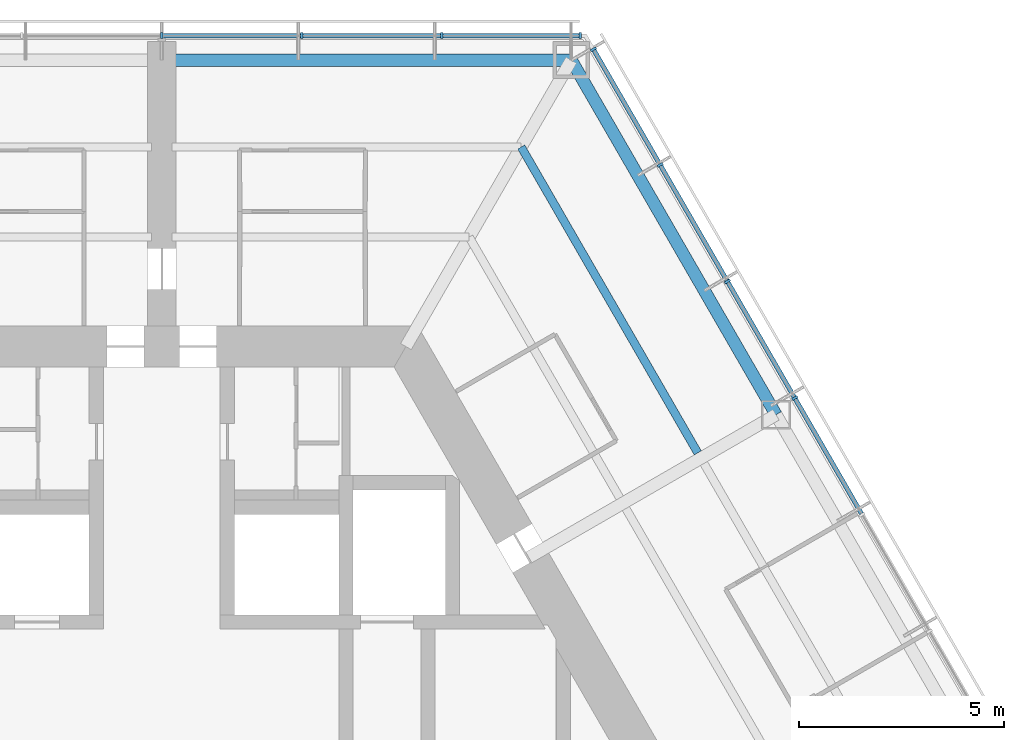
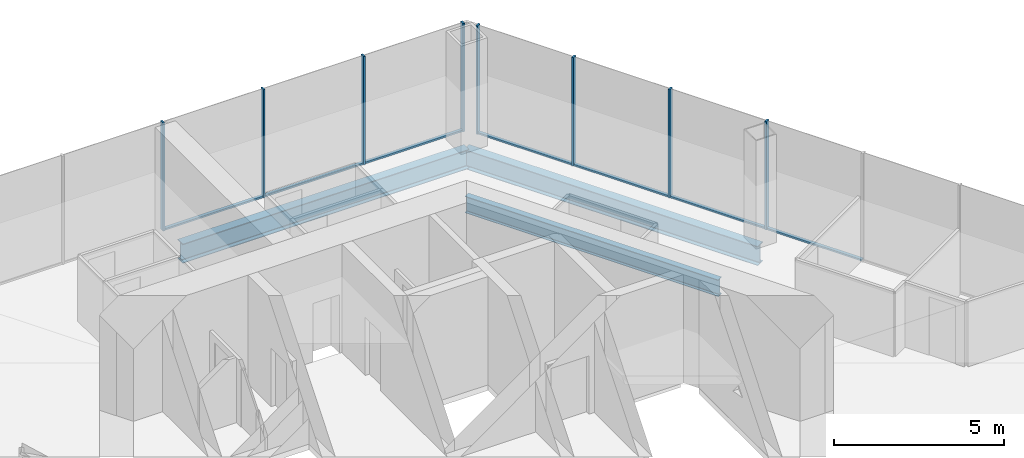
# One storey, part 8 of 18: 15 members, 3 beams, 2 elements without a shape of their own.
"""IFC4 building model written with IfcOpenShell, lengths in metres."""

from ifc_helpers import new_model, si_unit, direction, frame, origin, origin_2d, place, context, subcontext, project, spatial, rectangle, i_section, extrude, material, material_profile, profile_set, type_object, element, aggregate, save


model = new_model("IFC4")

# Units and contexts
model_context = context("Model", 3, precision=1e-05, world=origin(), true_north=direction((0.0, 1.0)))
body_context = subcontext(model_context, "Body", "Model", "MODEL_VIEW")
ifc_project = project(units=[si_unit("LENGTHUNIT", "METRE"), si_unit("AREAUNIT", "SQUARE_METRE"), si_unit("VOLUMEUNIT", "CUBIC_METRE"), si_unit("PLANEANGLEUNIT", "RADIAN"), si_unit("MASSUNIT", "GRAM", prefix="KILO")], contexts=[model_context])

# Site, building, storey
site_placement = place(None, origin())
site = spatial("IfcSite", under=ifc_project, at=site_placement, CompositionType="ELEMENT")
building_placement = place(site_placement, origin())
building = spatial("IfcBuilding", under=site, at=building_placement, Name="Kasaneha Research Tower", CompositionType="ELEMENT")
storey_placement = place(building_placement, frame((0.0, 0.0, 199.39990234375)))
storey = spatial("IfcBuildingStorey", under=building, at=storey_placement, Name="L50", CompositionType="ELEMENT", Elevation=199.39990234375)

# Beam
ifc_material_1 = material(Name="Steel SN490B", Category="steel")
ifc_material_profile_1 = material_profile(ifc_material_1, i_section(OverallWidth=0.199951171875, OverallDepth=0.60009765625, WebThickness=0.010986328125, FlangeThickness=0.01708984375, FilletRadius=0.012939453125, at=origin_2d()), Name="H-600x200x11x17")
ifc_profile_set_1 = profile_set([ifc_material_profile_1], Name="Steel SN490B")
beam_type_1 = type_object("IfcBeamType", Name="B1-3 secondary beam H-600x200x11x17", PredefinedType="JOIST", material=ifc_profile_set_1)
beam_1_placement = place(storey_placement, frame((8.775634765625, 15.199951171875, -0.449951171875), z_axis=(0.500017275495, -0.866015429543, 0.0), x_axis=(0.866015429543, 0.500017275495, 0.0)))
element("IfcBeam", 1, at=beam_1_placement, inside=storey, type_object=beam_type_1, Name="Secondary beam RS030R2 L50", PredefinedType="JOIST", context=body_context, shape_type="SweptSolid", body=[
    extrude(i_section(OverallWidth=0.199951171875, OverallDepth=0.60009765625, WebThickness=0.010986328125, FlangeThickness=0.01708984375, FilletRadius=0.012939453125, at=origin_2d()), origin(), (0.0, 0.0, 1.0), 8.625732421875),
])

# Curtain wall, members
ifc_material_2 = material(Name="Glass and aluminium", Category="aluminium")
curtain_wall_type = type_object("IfcCurtainWallType", Name="Mid-rise office curtain wall", PredefinedType="USERDEFINED", material=ifc_material_2)
curtain_wall_1_placement = place(storey_placement, origin())
curtain_wall_1 = element("IfcCurtainWall", 2, at=curtain_wall_1_placement, inside=storey, type_object=curtain_wall_type, Name="CW-O2 L50 run 06a", ObjectType="UNITISED CURTAIN WALL", PredefinedType="USERDEFINED")
ifc_material_3 = material(Name="Aluminium 6063-T6", Category="aluminium")
ifc_material_profile_2 = material_profile(ifc_material_3, rectangle(XDim=0.06005859375, YDim=0.14990234375, at=origin_2d()), Name="CW-O2 mullion 60x150")
ifc_profile_set_2 = profile_set([ifc_material_profile_2], Name="Aluminium 6063-T6")
member_type_1 = type_object("IfcMemberType", Name="CW-O2 mullion", PredefinedType="MULLION", material=ifc_profile_set_2)
member_1_placement = place(storey_placement, frame((15.45703125, 9.068603515625, 0.0), z_axis=(0.0, 0.0, 1.0), x_axis=(-0.499999979232, 0.866025415775, 0.0)))
member_1 = element("IfcMember", 3, at=member_1_placement, type_object=member_type_1, Name="CW-O2 mullion 4", PredefinedType="MULLION", context=body_context, shape_type="SweptSolid", body=[
    extrude(rectangle(XDim=0.06005859375, YDim=0.14990234375, at=origin_2d()), origin(), (0.0, 0.0, 1.0), 3.900146484375),
])
member_2_placement = place(storey_placement, frame((13.81298828125, 11.916015625, 0.0), z_axis=(0.0, 0.0, 1.0), x_axis=(-0.499999979232, 0.866025415775, 0.0)))
member_2 = element("IfcMember", 4, at=member_2_placement, type_object=member_type_1, Name="CW-O2 mullion 5", PredefinedType="MULLION", context=body_context, shape_type="SweptSolid", body=[
    extrude(rectangle(XDim=0.06005859375, YDim=0.14990234375, at=origin_2d()), origin(), (0.0, 0.0, 1.0), 3.900146484375),
])
member_3_placement = place(storey_placement, frame((12.1689453125, 14.763671875, 0.0), z_axis=(0.0, 0.0, 1.0), x_axis=(-0.499999979232, 0.866025415775, 0.0)))
member_3 = element("IfcMember", 5, at=member_3_placement, type_object=member_type_1, Name="CW-O2 mullion 6", PredefinedType="MULLION", context=body_context, shape_type="SweptSolid", body=[
    extrude(rectangle(XDim=0.06005859375, YDim=0.14990234375, at=origin_2d()), origin(), (0.0, 0.0, 1.0), 3.900146484375),
])
member_4_placement = place(storey_placement, frame((10.5400390625, 17.585205078125, 0.0), z_axis=(0.0, 0.0, 1.0), x_axis=(-0.499999979232, 0.866025415775, 0.0)))
member_4 = element("IfcMember", 6, at=member_4_placement, type_object=member_type_1, Name="CW-O2 mullion 7", PredefinedType="MULLION", context=body_context, shape_type="SweptSolid", body=[
    extrude(rectangle(XDim=0.06005859375, YDim=0.14990234375, at=origin_2d()), origin(), (0.0, 0.0, 1.0), 3.900146484375),
])

curtain_wall_2_placement = place(storey_placement, origin())
curtain_wall_2 = element("IfcCurtainWall", 7, at=curtain_wall_2_placement, inside=storey, type_object=curtain_wall_type, Name="CW-O2 L50 run 07a", ObjectType="UNITISED CURTAIN WALL", PredefinedType="USERDEFINED")
member_5_placement = place(storey_placement, frame((10.21630859375, 17.92041015625, 0.0), z_axis=(0.0, 0.0, 1.0), x_axis=(-1.0, 0.0, 0.0)))
member_5 = element("IfcMember", 8, at=member_5_placement, type_object=member_type_1, Name="CW-O2 mullion 1", PredefinedType="MULLION", context=body_context, shape_type="SweptSolid", body=[
    extrude(rectangle(XDim=0.06005859375, YDim=0.14990234375, at=origin_2d()), origin(), (0.0, 0.0, 1.0), 3.900146484375),
])
member_6_placement = place(storey_placement, frame((6.8310546875, 17.92041015625, 0.0), z_axis=(0.0, 0.0, 1.0), x_axis=(-1.0, 0.0, 0.0)))
member_6 = element("IfcMember", 9, at=member_6_placement, type_object=member_type_1, Name="CW-O2 mullion 2", PredefinedType="MULLION", context=body_context, shape_type="SweptSolid", body=[
    extrude(rectangle(XDim=0.06005859375, YDim=0.14990234375, at=origin_2d()), origin(), (0.0, 0.0, 1.0), 3.900146484375),
])
member_7_placement = place(storey_placement, frame((3.41552734375, 17.92041015625, 0.0), z_axis=(0.0, 0.0, 1.0), x_axis=(-1.0, 0.0, 0.0)))
member_7 = element("IfcMember", 10, at=member_7_placement, type_object=member_type_1, Name="CW-O2 mullion 3", PredefinedType="MULLION", context=body_context, shape_type="SweptSolid", body=[
    extrude(rectangle(XDim=0.06005859375, YDim=0.14990234375, at=origin_2d()), origin(), (0.0, 0.0, 1.0), 3.900146484375),
])
member_8_placement = place(storey_placement, frame((0.0, 17.92041015625, 0.0), z_axis=(0.0, 0.0, 1.0), x_axis=(-1.0, 0.0, 0.0)))
member_8 = element("IfcMember", 11, at=member_8_placement, type_object=member_type_1, Name="CW-O2 mullion 4", PredefinedType="MULLION", context=body_context, shape_type="SweptSolid", body=[
    extrude(rectangle(XDim=0.06005859375, YDim=0.14990234375, at=origin_2d()), origin(), (0.0, 0.0, 1.0), 3.900146484375),
])

# Member
ifc_material_4 = material(Name="Aluminium 6063-T6", Category="aluminium")
ifc_material_profile_3 = material_profile(ifc_material_4, rectangle(XDim=0.110107421875, YDim=0.06005859375, at=origin_2d()), Name="CW-O2 transom 110x60")
ifc_profile_set_3 = profile_set([ifc_material_profile_3], Name="Aluminium 6063-T6")
member_type_2 = type_object("IfcMemberType", Name="CW-O2 transom", PredefinedType="USERDEFINED", material=ifc_profile_set_3)
member_9_placement = place(storey_placement, frame((17.086181640625, 6.2470703125, 0.030029296875), z_axis=(-0.500019253631, 0.86601428741, 0.0), x_axis=(-0.86601428741, -0.500019253631, 0.0)))
member_9 = element("IfcMember", 12, at=member_9_placement, type_object=member_type_2, Name="CW-O2 transom 3", ObjectType="TRANSOM", PredefinedType="USERDEFINED", context=body_context, shape_type="SweptSolid", body=[
    extrude(rectangle(XDim=0.110107421875, YDim=0.06005859375, at=origin_2d()), origin(), (0.0, 0.0, 1.0), 3.227783203125),
])

member_10_placement = place(storey_placement, frame((15.442138671875, 9.094482421875, 0.030029296875), z_axis=(-0.499986503906, 0.866033195618, 0.0), x_axis=(-0.866033195618, -0.499986503906, 0.0)))
member_10 = element("IfcMember", 13, at=member_10_placement, type_object=member_type_2, Name="CW-O2 transom 4", ObjectType="TRANSOM", PredefinedType="USERDEFINED", context=body_context, shape_type="SweptSolid", body=[
    extrude(rectangle(XDim=0.110107421875, YDim=0.06005859375, at=origin_2d()), origin(), (0.0, 0.0, 1.0), 3.22802734375),
])

member_11_placement = place(storey_placement, frame((13.798095703125, 11.942138671875, 0.030029296875), z_axis=(-0.499986503906, 0.866033195618, 0.0), x_axis=(-0.866033195618, -0.499986503906, 0.0)))
member_11 = element("IfcMember", 14, at=member_11_placement, type_object=member_type_2, Name="CW-O2 transom 5", ObjectType="TRANSOM", PredefinedType="USERDEFINED", context=body_context, shape_type="SweptSolid", body=[
    extrude(rectangle(XDim=0.110107421875, YDim=0.06005859375, at=origin_2d()), origin(), (0.0, 0.0, 1.0), 3.22802734375),
])

member_12_placement = place(storey_placement, frame((12.154052734375, 14.789794921875, 0.030029296875), z_axis=(-0.500030834389, 0.86600760081, 0.0), x_axis=(-0.86600760081, -0.500030834389, 0.0)))
member_12 = element("IfcMember", 15, at=member_12_placement, type_object=member_type_2, Name="CW-O2 transom 6", ObjectType="TRANSOM", PredefinedType="USERDEFINED", context=body_context, shape_type="SweptSolid", body=[
    extrude(rectangle(XDim=0.110107421875, YDim=0.06005859375, at=origin_2d()), origin(), (0.0, 0.0, 1.0), 3.197998046875),
])

aggregate(curtain_wall_1, [member_1, member_2, member_3, member_4, member_9, member_10, member_11, member_12])

member_13_placement = place(storey_placement, frame((10.1865234375, 17.92041015625, 0.030029296875), z_axis=(-1.0, 0.0, 0.0), x_axis=(0.0, -1.0, 0.0)))
member_13 = element("IfcMember", 16, at=member_13_placement, type_object=member_type_2, Name="CW-O2 transom 1", ObjectType="TRANSOM", PredefinedType="USERDEFINED", context=body_context, shape_type="SweptSolid", body=[
    extrude(rectangle(XDim=0.110107421875, YDim=0.06005859375, at=origin_2d()), origin(), (0.0, 0.0, 1.0), 3.32568359375),
])

member_14_placement = place(storey_placement, frame((6.801025390625, 17.92041015625, 0.030029296875), z_axis=(-1.0, 0.0, 0.0), x_axis=(0.0, -1.0, 0.0)))
member_14 = element("IfcMember", 17, at=member_14_placement, type_object=member_type_2, Name="CW-O2 transom 2", ObjectType="TRANSOM", PredefinedType="USERDEFINED", context=body_context, shape_type="SweptSolid", body=[
    extrude(rectangle(XDim=0.110107421875, YDim=0.06005859375, at=origin_2d()), origin(), (0.0, 0.0, 1.0), 3.35546875),
])

member_15_placement = place(storey_placement, frame((3.385498046875, 17.92041015625, 0.030029296875), z_axis=(-1.0, 0.0, 0.0), x_axis=(0.0, -1.0, 0.0)))
member_15 = element("IfcMember", 18, at=member_15_placement, type_object=member_type_2, Name="CW-O2 transom 3", ObjectType="TRANSOM", PredefinedType="USERDEFINED", context=body_context, shape_type="SweptSolid", body=[
    extrude(rectangle(XDim=0.110107421875, YDim=0.06005859375, at=origin_2d()), origin(), (0.0, 0.0, 1.0), 3.35546875),
])

aggregate(curtain_wall_2, [member_5, member_6, member_7, member_8, member_13, member_14, member_15])

# Beams
ifc_material_5 = material(Name="Steel SN490B", Category="steel")
ifc_material_profile_4 = material_profile(ifc_material_5, i_section(OverallWidth=0.300048828125, OverallDepth=0.69189453125, WebThickness=0.012939453125, FlangeThickness=0.02001953125, FilletRadius=0.01806640625, at=origin_2d()), Name="H-692x300x13x20")
ifc_profile_set_4 = profile_set([ifc_material_profile_4], Name="Steel SN490B")
beam_type_2 = type_object("IfcBeamType", Name="G3-3 plate edge girder H-692x300x13x20", PredefinedType="BEAM", material=ifc_profile_set_4)
beam_2_placement = place(storey_placement, frame((10.0, 17.320556640625, -0.495849609375), z_axis=(-1.0, 0.0, 0.0), x_axis=(0.0, -1.0, 0.0)))
element("IfcBeam", 19, at=beam_2_placement, inside=storey, type_object=beam_type_2, Name="Plate edge girder PEAP L50", PredefinedType="BEAM", context=body_context, shape_type="SweptSolid", body=[
    extrude(i_section(OverallWidth=0.300048828125, OverallDepth=0.69189453125, WebThickness=0.012939453125, FlangeThickness=0.02001953125, FilletRadius=0.01806640625, at=origin_2d()), origin(), (0.0, 0.0, 1.0), 9.75),
])
ifc_material_6 = material(Name="Steel SN490B", Category="steel")
ifc_material_profile_5 = material_profile(ifc_material_6, i_section(OverallWidth=0.300048828125, OverallDepth=0.69189453125, WebThickness=0.012939453125, FlangeThickness=0.02001953125, FilletRadius=0.01806640625, at=origin_2d()), Name="H-692x300x13x20")
ifc_profile_set_5 = profile_set([ifc_material_profile_5], Name="Steel SN490B")
beam_type_3 = type_object("IfcBeamType", Name="SB1-3 spandrel beam H-692x300x13x20", PredefinedType="SPANDREL", material=ifc_profile_set_5)
beam_3_placement = place(storey_placement, frame((10.0, 17.320556640625, -0.495849609375), z_axis=(0.499993662806, -0.866029062534, 0.0), x_axis=(0.866029062534, 0.499993662806, 0.0)))
element("IfcBeam", 20, at=beam_3_placement, inside=storey, type_object=beam_type_3, Name="Spandrel beam SR030R L50", PredefinedType="SPANDREL", context=body_context, shape_type="SweptSolid", body=[
    extrude(i_section(OverallWidth=0.300048828125, OverallDepth=0.69189453125, WebThickness=0.012939453125, FlangeThickness=0.02001953125, FilletRadius=0.01806640625, at=origin_2d()), origin(), (0.0, 0.0, 1.0), 10.000244140625),
])

save(model, "model.ifc")
